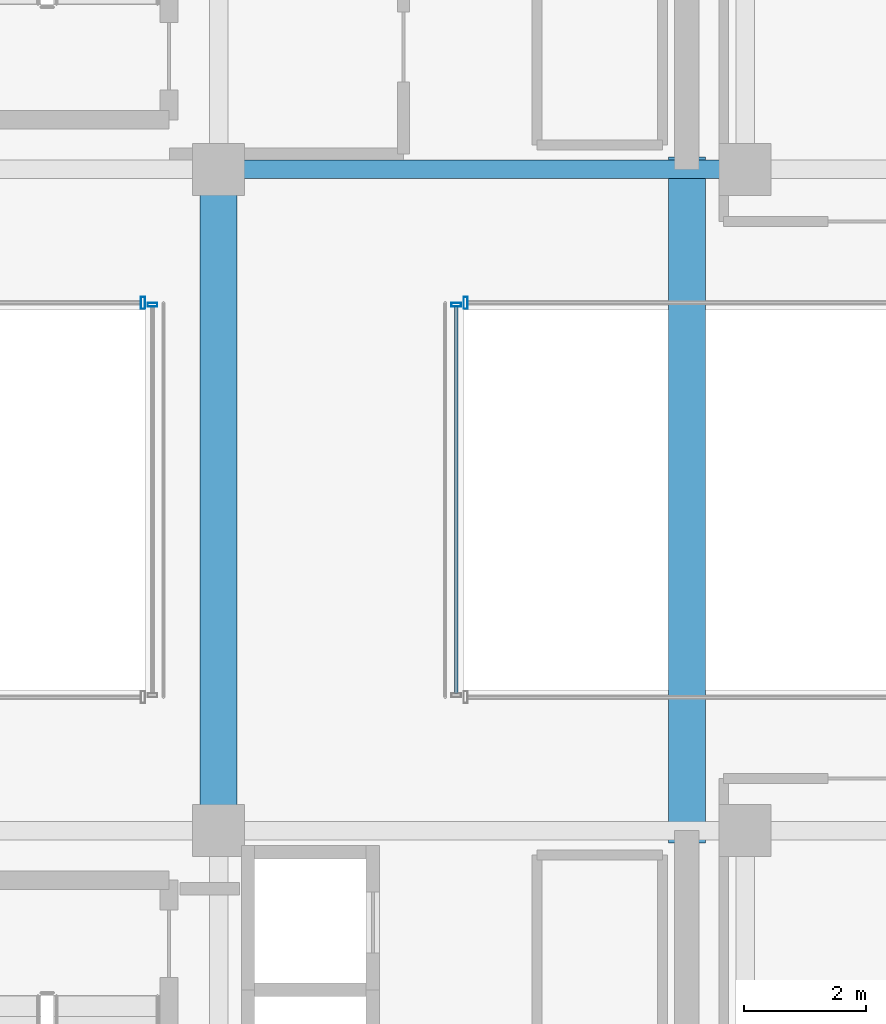
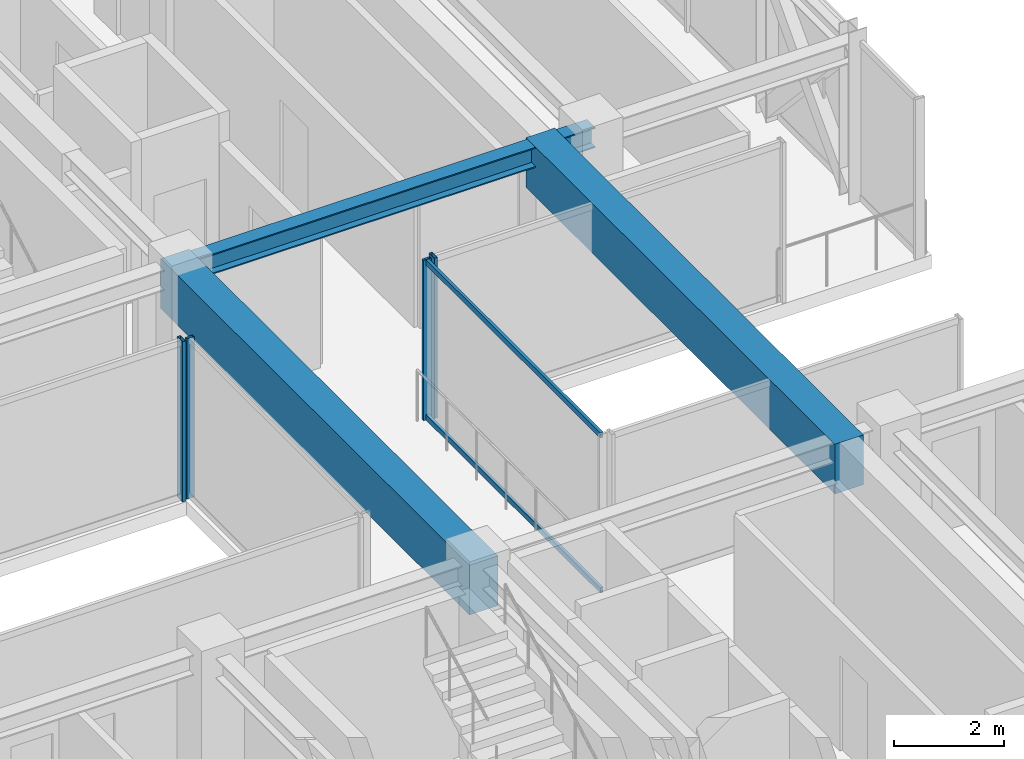
# One storey, part 19 of 37: 6 members, 3 beams, 4 elements without a shape of their own.
"""IFC4 building model written with IfcOpenShell, lengths in metres."""

from ifc_helpers import new_model, si_unit, direction, frame, origin, origin_2d, place, context, subcontext, project, spatial, rectangle, hollow_rectangle, i_section, extrude, source, transform, mapped, material, material_profile, profile_set, type_object, element, aggregate, save


model = new_model("IFC4")

# Units and contexts
model_context = context("Model", 3, precision=1e-05, world=origin(), true_north=direction((0.0, 1.0)))
body_context = subcontext(model_context, "Body", "Model", "MODEL_VIEW")
ifc_project = project(units=[si_unit("LENGTHUNIT", "METRE"), si_unit("AREAUNIT", "SQUARE_METRE"), si_unit("VOLUMEUNIT", "CUBIC_METRE"), si_unit("PLANEANGLEUNIT", "RADIAN"), si_unit("MASSUNIT", "GRAM", prefix="KILO")], contexts=[model_context])

# Site, building, storey
site_placement = place(None, origin())
site = spatial("IfcSite", under=ifc_project, at=site_placement, CompositionType="ELEMENT")
building_placement = place(site_placement, origin())
building = spatial("IfcBuilding", under=site, at=building_placement, Name="Nahalor Promenade Grand Hotel", CompositionType="ELEMENT")
storey_placement = place(building_placement, frame((0.0, 0.0, 308.050048828125)))
storey = spatial("IfcBuildingStorey", under=building, at=storey_placement, Name="L79", CompositionType="ELEMENT", Elevation=308.050048828125)

# Beams
ifc_material_1 = material(Name="Concrete B-60 (C50/60)", Category="concrete")
ifc_material_profile_1 = material_profile(ifc_material_1, rectangle(XDim=0.6, YDim=1.1, at=origin_2d()), Name="RC 600x1100")
ifc_profile_set_1 = profile_set([ifc_material_profile_1], Name="Concrete B-60 (C50/60)")
beam_type_1 = type_object("IfcBeamType", Name="Beam-Lintel-RC1100", PredefinedType="LINTEL", material=ifc_profile_set_1)
shared_shape_1 = source(origin(), body_context, "Body", "SweptSolid", [
    extrude(rectangle(XDim=0.6, YDim=1.1, at=origin_2d()), origin(), (0.0, 0.0, 1.0), 11.2001953125),
])
for number, where, z_axis, x_axis, name in (
    (1, (8.39990234375, -5.60009765625, 3.0), (0.0, 1.0, 0.0), (-1.0, 0.0, 0.0), "BM-L79-LINT-W"),
    (2, (16.050048828125, -5.60009765625, 3.0), (0.0, 1.0, 0.0), (-1.0, 0.0, 0.0), "BM-L79-LINT-E"),
):
    element("IfcBeam", number, at=place(storey_placement, frame(where, z_axis=z_axis, x_axis=x_axis)), inside=storey, type_object=beam_type_1, Name=name, PredefinedType="LINTEL", context=body_context, shape_type="MappedRepresentation", body=[
        mapped(shared_shape_1, transform((0.0, 0.0, 0.0), scale=1.0)),
    ])
ifc_material_2 = material(Name="Steel S355JR", Category="steel")
ifc_material_profile_2 = material_profile(ifc_material_2, i_section(OverallWidth=0.3, OverallDepth=0.45, WebThickness=0.014, FlangeThickness=0.026, at=origin_2d()), Name="HEB 450")
ifc_profile_set_2 = profile_set([ifc_material_profile_2], Name="Steel S355JR")
beam_type_2 = type_object("IfcBeamType", Name="Beam-Girder-HEB450", PredefinedType="BEAM", material=ifc_profile_set_2)
shared_shape_2 = source(origin(), body_context, "Body", "SweptSolid", [
    extrude(i_section(OverallWidth=0.3, OverallDepth=0.45, WebThickness=0.014, FlangeThickness=0.026, at=origin_2d()), origin(), (0.0, 0.0, 1.0), 8.60009765625),
])
beam_placement = place(storey_placement, frame((8.39990234375, 5.39990234375, 3.324951171875), z_axis=(1.0, 0.0, 0.0), x_axis=(0.0, 1.0, 0.0)))
element("IfcBeam", 3, at=beam_placement, inside=storey, type_object=beam_type_2, Name="BM-L79-GX-2-5", PredefinedType="BEAM", context=body_context, shape_type="MappedRepresentation", body=[
    mapped(shared_shape_2, transform((0.0, 0.0, 0.0), scale=1.0)),
])

# Curtain wall, members
ifc_material_3 = material(Name="Anodised Bronze Aluminium EN AW-6063 T6", Category="aluminium")
curtain_wall_type_1 = type_object("IfcCurtainWallType", Name="CW4 Low-Iron Sky-Gallery Bridge Curtain Wall", PredefinedType="USERDEFINED", material=ifc_material_3)
curtain_wall_1_placement = place(storey_placement, origin())
curtain_wall_1 = element("IfcCurtainWall", 4, at=curtain_wall_1_placement, inside=storey, type_object=curtain_wall_type_1, Name="L79 Curtain Wall CW-L79-BRG-E", ObjectType="UNITISED_CURTAIN_WALL", PredefinedType="USERDEFINED")
ifc_material_profile_3 = material_profile(ifc_material_3, hollow_rectangle(XDim=0.06, YDim=0.12, WallThickness=0.004, at=origin_2d()), Name="CWT 60x120x4")
ifc_profile_set_3 = profile_set([ifc_material_profile_3], Name="Anodised Bronze Aluminium EN AW-6063 T6")
member_type_1 = type_object("IfcMemberType", Name="CWT4 Sky-Gallery Slim Transom 60x120", PredefinedType="USERDEFINED", material=ifc_profile_set_3)
shared_shape_3 = source(origin(), body_context, "Body", "SweptSolid", [
    extrude(hollow_rectangle(XDim=0.06, YDim=0.12, WallThickness=0.004, at=origin_2d()), origin(), (0.0, 0.0, 1.0), 6.31982421875),
])
member_1_placement = place(storey_placement, frame((12.280029296875, -3.159912109375, 0.06005859375), z_axis=(0.0, 1.0, 0.0), x_axis=(-1.0, 0.0, 0.0)))
member_1 = element("IfcMember", 5, at=member_1_placement, type_object=member_type_1, Name="CW-L79-BRG-E Transom 0-0", ObjectType="TRANSOM", PredefinedType="USERDEFINED", context=body_context, shape_type="MappedRepresentation", body=[
    mapped(shared_shape_3, transform((0.0, 0.0, 0.0), scale=1.0)),
])
member_2_placement = place(storey_placement, frame((12.280029296875, -3.159912109375, 3.489990234375), z_axis=(0.0, 1.0, 0.0), x_axis=(-1.0, 0.0, 0.0)))
member_2 = element("IfcMember", 6, at=member_2_placement, type_object=member_type_1, Name="CW-L79-BRG-E Transom 0-1", ObjectType="TRANSOM", PredefinedType="USERDEFINED", context=body_context, shape_type="MappedRepresentation", body=[
    mapped(shared_shape_3, transform((0.0, 0.0, 0.0), scale=1.0)),
])

# Curtain wall, member
curtain_wall_type_2 = type_object("IfcCurtainWallType", Name="CW3 Elliptical-Void Collar Unitised Curtain Wall", PredefinedType="USERDEFINED", material=ifc_material_3)
curtain_wall_2_placement = place(storey_placement, origin())
curtain_wall_2 = element("IfcCurtainWall", 7, at=curtain_wall_2_placement, inside=storey, type_object=curtain_wall_type_2, Name="L79 Curtain Wall CW-L79-VOID-WN1", ObjectType="UNITISED_CURTAIN_WALL", PredefinedType="USERDEFINED")
ifc_material_profile_4 = material_profile(ifc_material_3, hollow_rectangle(XDim=0.07, YDim=0.2, WallThickness=0.005, at=origin_2d()), Name="CWM 70x200x5")
ifc_profile_set_4 = profile_set([ifc_material_profile_4], Name="Anodised Bronze Aluminium EN AW-6063 T6")
member_type_2 = type_object("IfcMemberType", Name="CWM3 Void Collar Mullion 70x200", PredefinedType="MULLION", material=ifc_profile_set_4)
shared_shape_4 = source(origin(), body_context, "Body", "SweptSolid", [
    extrude(hollow_rectangle(XDim=0.07, YDim=0.2, WallThickness=0.005, at=origin_2d()), origin(), (0.0, 0.0, 1.0), 3.550048828125),
])
member_3_placement = place(storey_placement, frame((7.1650390625, 3.219970703125, 0.0), z_axis=(0.0, 0.0, 1.0), x_axis=(1.0, 0.0, 0.0)))
member_3 = element("IfcMember", 8, at=member_3_placement, type_object=member_type_2, Name="CW-L79-VOID-WN1 Mullion 3", PredefinedType="MULLION", context=body_context, shape_type="MappedRepresentation", body=[
    mapped(shared_shape_4, transform((0.0, 0.0, 0.0), scale=1.0)),
])
aggregate(curtain_wall_2, [member_3])

curtain_wall_3_placement = place(storey_placement, origin())
curtain_wall_3 = element("IfcCurtainWall", 9, at=curtain_wall_3_placement, inside=storey, type_object=curtain_wall_type_2, Name="L79 Curtain Wall CW-L79-VOID-EN1", ObjectType="UNITISED_CURTAIN_WALL", PredefinedType="USERDEFINED")
member_4_placement = place(storey_placement, frame((12.43505859375, 3.219970703125, 0.0), z_axis=(0.0, 0.0, 1.0), x_axis=(1.0, 0.0, 0.0)))
member_4 = element("IfcMember", 10, at=member_4_placement, type_object=member_type_2, Name="CW-L79-VOID-EN1 Mullion 0", PredefinedType="MULLION", context=body_context, shape_type="MappedRepresentation", body=[
    mapped(shared_shape_4, transform((0.0, 0.0, 0.0), scale=1.0)),
])
aggregate(curtain_wall_3, [member_4])

curtain_wall_4_placement = place(storey_placement, origin())
curtain_wall_4 = element("IfcCurtainWall", 11, at=curtain_wall_4_placement, inside=storey, type_object=curtain_wall_type_1, Name="L79 Curtain Wall CW-L79-BRG-W", ObjectType="UNITISED_CURTAIN_WALL", PredefinedType="USERDEFINED")
ifc_material_profile_5 = material_profile(ifc_material_3, hollow_rectangle(XDim=0.06, YDim=0.16, WallThickness=0.004, at=origin_2d()), Name="CWM 60x160x4")
ifc_profile_set_5 = profile_set([ifc_material_profile_5], Name="Anodised Bronze Aluminium EN AW-6063 T6")
member_type_3 = type_object("IfcMemberType", Name="CWM4 Sky-Gallery Slim Mullion 60x160", PredefinedType="MULLION", material=ifc_profile_set_5)
shared_shape_5 = source(origin(), body_context, "Body", "SweptSolid", [
    extrude(hollow_rectangle(XDim=0.06, YDim=0.16, WallThickness=0.004, at=origin_2d()), origin(), (0.0, 0.0, 1.0), 3.550048828125),
])
member_5_placement = place(storey_placement, frame((7.320068359375, 3.18994140625, 0.0), z_axis=(0.0, 0.0, 1.0), x_axis=(0.0, 1.0, 0.0)))
member_5 = element("IfcMember", 12, at=member_5_placement, type_object=member_type_3, Name="CW-L79-BRG-W Mullion 1", PredefinedType="MULLION", context=body_context, shape_type="MappedRepresentation", body=[
    mapped(shared_shape_5, transform((0.0, 0.0, 0.0), scale=1.0)),
])
aggregate(curtain_wall_4, [member_5])

# Member
member_6_placement = place(storey_placement, frame((12.280029296875, 3.18994140625, 0.0), z_axis=(0.0, 0.0, 1.0), x_axis=(0.0, 1.0, 0.0)))
member_6 = element("IfcMember", 13, at=member_6_placement, type_object=member_type_3, Name="CW-L79-BRG-E Mullion 1", PredefinedType="MULLION", context=body_context, shape_type="MappedRepresentation", body=[
    mapped(shared_shape_5, transform((0.0, 0.0, 0.0), scale=1.0)),
])

aggregate(curtain_wall_1, [member_6, member_1, member_2])

save(model, "model.ifc")
